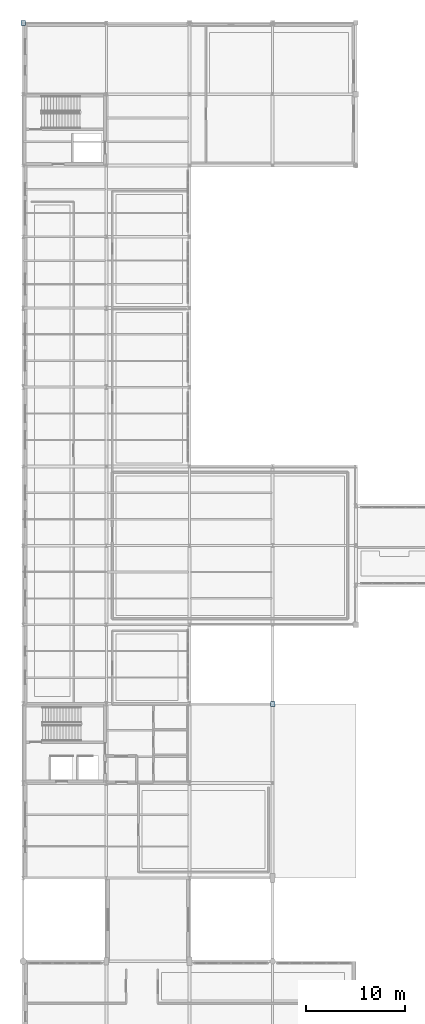
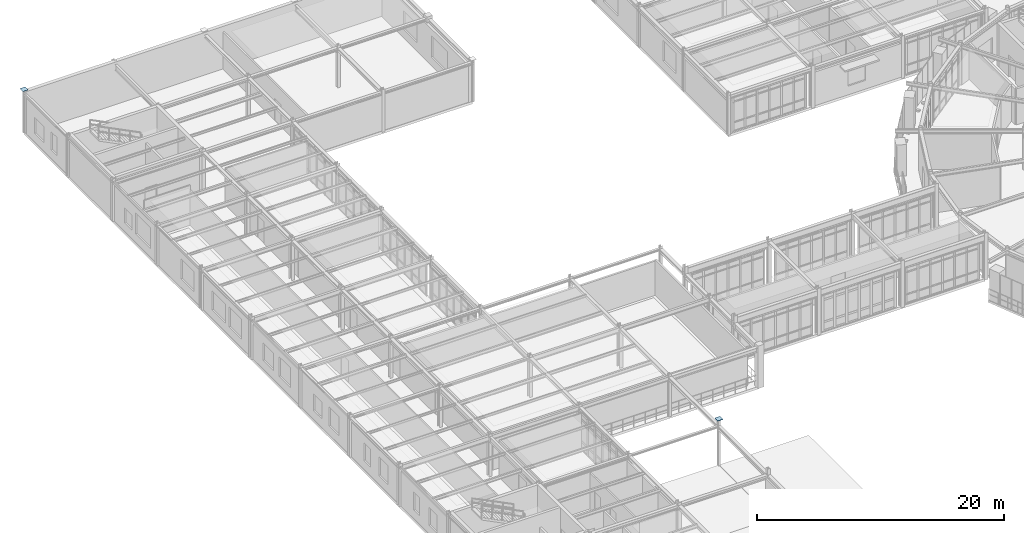
# One storey, part 67 of 90: 2 plates.
"""IFC4 building model written with IfcOpenShell, lengths in metres."""

from ifc_helpers import new_model, si_unit, derived_unit, direction, frame, origin, origin_2d, place, context, subcontext, project, spatial, rectangle, extrude, material, layer, layer_set, type_object, element, save


model = new_model("IFC4")

# Units and contexts
model_context = context("Model", 3, precision=1e-05, world=origin(), true_north=direction((0.0, 1.0)))
body_context = subcontext(model_context, "Body", "Model", "MODEL_VIEW")
ifc_project = project(units=[si_unit("LENGTHUNIT", "METRE"), si_unit("AREAUNIT", "SQUARE_METRE"), si_unit("VOLUMEUNIT", "CUBIC_METRE"), si_unit("PLANEANGLEUNIT", "RADIAN"), si_unit("MASSUNIT", "GRAM", prefix="KILO"), derived_unit("THERMALTRANSMITTANCEUNIT", [(si_unit("POWERUNIT", "WATT"), 1), (si_unit("AREAUNIT", "SQUARE_METRE"), -1), (si_unit("THERMODYNAMICTEMPERATUREUNIT", "KELVIN"), -1)])], contexts=[model_context])

# Site, building, storey
site_placement = place(None, origin())
site = spatial("IfcSite", under=ifc_project, at=site_placement, CompositionType="ELEMENT")
building_placement = place(site_placement, origin())
building = spatial("IfcBuilding", under=site, at=building_placement, Name="Yasenodar Specialist Clinic", CompositionType="ELEMENT")
storey_placement = place(building_placement, frame((0.0, 0.0, 9.0)))
storey = spatial("IfcBuildingStorey", under=building, at=storey_placement, Name="L02", CompositionType="ELEMENT", Elevation=9.0)

# Plates
ifc_material = material(Name="Steel S355", Category="steel")
ifc_layer = layer(ifc_material, 0.028076171875)
ifc_layer_set = layer_set([ifc_layer], Name="Steel S355")
plate_type = type_object("IfcPlateType", Name="PL-STEEL-06", PredefinedType="USERDEFINED", material=ifc_layer_set)
for number, where, z_axis, x_axis, name in (
    (1, (0.0, 111.60009765625, 4.2001953125), (0.0, 0.0, 1.0), (1.0, 0.0, 0.0), "L02 Hollow Column Top Cap Plate 002"),
    (2, (25.199951171875, 42.800048828125, 4.5498046875), (0.0, 0.0, 1.0), (1.0, 0.0, 0.0), "L02 Hollow Column Top Cap Plate 007"),
):
    element("IfcPlate", number, at=place(storey_placement, frame(where, z_axis=z_axis, x_axis=x_axis)), inside=storey, type_object=plate_type, Name=name, ObjectType="CAP_PLATE", PredefinedType="USERDEFINED", context=body_context, shape_type="SweptSolid", body=[
        extrude(rectangle(XDim=0.47998046875, YDim=0.47998046875, at=origin_2d()), origin(), (0.0, 0.0, 1.0), 0.028076171875),
    ])

save(model, "model.ifc")
